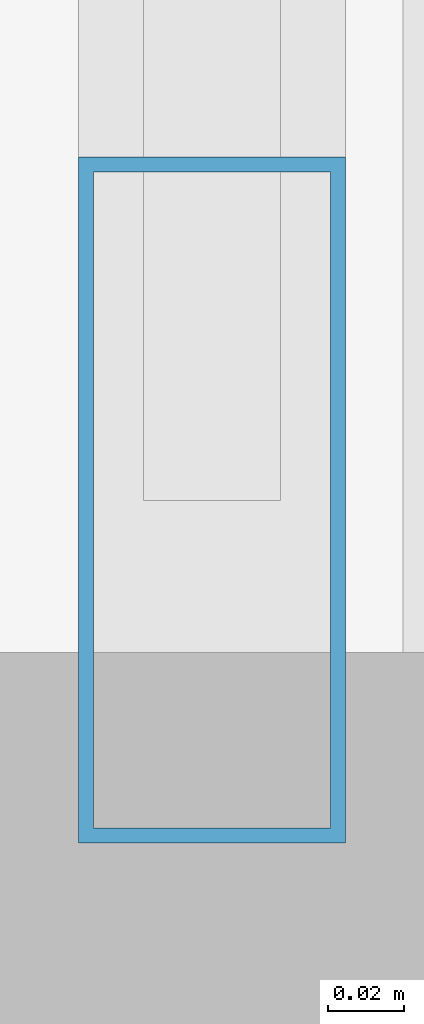
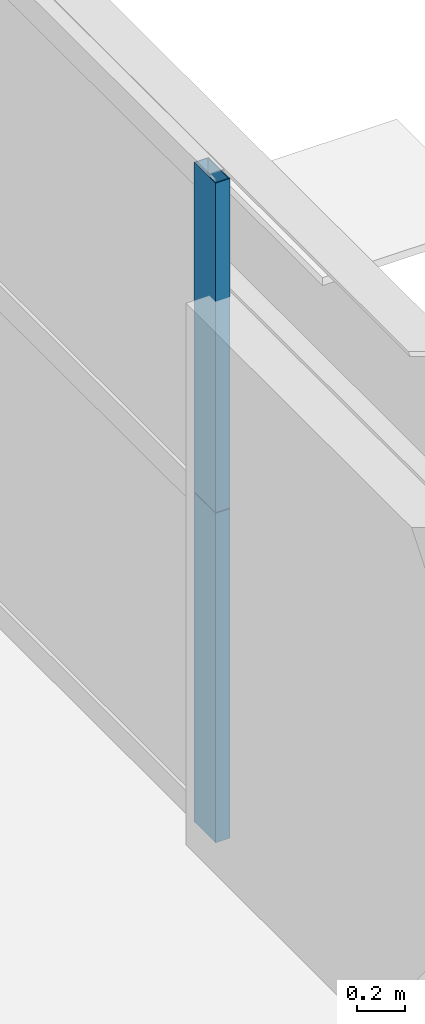
# One storey, part 19 of 46: 2 members, 1 element without a shape of its own.
"""IFC4 building model written with IfcOpenShell, lengths in metres."""

from ifc_helpers import new_model, si_unit, direction, frame, origin, origin_2d, place, context, subcontext, project, spatial, hollow_rectangle, extrude, source, transform, mapped, material, layer, layer_set, material_profile, profile_set, type_object, element, aggregate, save


model = new_model("IFC4")

# Units and contexts
model_context = context("Model", 3, precision=1e-05, world=origin(), true_north=direction((0.0, 1.0)))
body_context = subcontext(model_context, "Body", "Model", "MODEL_VIEW")
ifc_project = project(units=[si_unit("LENGTHUNIT", "METRE"), si_unit("AREAUNIT", "SQUARE_METRE"), si_unit("VOLUMEUNIT", "CUBIC_METRE"), si_unit("PLANEANGLEUNIT", "RADIAN"), si_unit("MASSUNIT", "GRAM", prefix="KILO"), si_unit("THERMODYNAMICTEMPERATUREUNIT", "KELVIN"), si_unit("POWERUNIT", "WATT")], contexts=[model_context])

# Site, building, storey
site_placement = place(None, origin())
site = spatial("IfcSite", under=ifc_project, at=site_placement, CompositionType="ELEMENT")
building_placement = place(site_placement, origin())
building = spatial("IfcBuilding", under=site, at=building_placement, Name="Yuzanri Waterfront Tower", CompositionType="ELEMENT")
storey_placement = place(building_placement, frame((0.0, 0.0, 56.800048828125)))
storey = spatial("IfcBuildingStorey", under=building, at=storey_placement, Name="L14", CompositionType="ELEMENT", Elevation=56.800048828125)

# Curtain wall, members
ifc_material_1 = material(Name="Anodized Architectural Bronze", Category="metal")
ifc_layer = layer(ifc_material_1, 0.159912109375)
ifc_layer_set = layer_set([ifc_layer], Name="Anodized Architectural Bronze")
curtain_wall_type = type_object("IfcCurtainWallType", Name="Anodized Bronze Hotel Lower-Tier Recessed Unitized Curtain Wall 8100", PredefinedType="NOTDEFINED", material=ifc_layer_set)
curtain_wall_placement = place(storey_placement, origin())
curtain_wall = element("IfcCurtainWall", 1, at=curtain_wall_placement, inside=storey, type_object=curtain_wall_type, Name="L14 Curtain Wall CW-L14-EL", PredefinedType="NOTDEFINED")
ifc_material_2 = material(Name="Anodized Architectural Bronze", Category="metal")
ifc_material_profile = material_profile(ifc_material_2, hollow_rectangle(XDim=0.070068359375, YDim=0.179931640625, WallThickness=0.00390625, at=origin_2d()), Name="CWM 70x180")
ifc_profile_set = profile_set([ifc_material_profile], Name="Anodized Architectural Bronze")
member_type = type_object("IfcMemberType", Name="Anodized Bronze Standard Curtain-Wall Mullion 70x180", PredefinedType="MULLION", material=ifc_profile_set)
shared_shape = source(origin(), body_context, "Body", "SweptSolid", [
    extrude(hollow_rectangle(XDim=0.070068359375, YDim=0.179931640625, WallThickness=0.00390625, at=origin_2d()), origin(), (0.0, 0.0, 1.0), 1.68798828125),
])
member_1_placement = place(storey_placement, frame((61.949951171875, 8.090087890625, 0.0), z_axis=(0.0, 0.0, 1.0), x_axis=(1.0, 0.0, 0.0)))
member_1 = element("IfcMember", 2, at=member_1_placement, type_object=member_type, Name="CW-L14-EL Lower Mullion 00", PredefinedType="MULLION", context=body_context, shape_type="MappedRepresentation", body=[
    mapped(shared_shape, transform((0.0, 0.0, 0.0), scale=1.0)),
])
member_2_placement = place(storey_placement, frame((61.949951171875, 8.090087890625, 1.69189453125), z_axis=(0.0, 0.0, 1.0), x_axis=(1.0, 0.0, 0.0)))
member_2 = element("IfcMember", 3, at=member_2_placement, type_object=member_type, Name="CW-L14-EL Upper Mullion 00", PredefinedType="MULLION", context=body_context, shape_type="MappedRepresentation", body=[
    mapped(shared_shape, transform((0.0, 0.0, 0.0), scale=1.0)),
])
aggregate(curtain_wall, [member_1, member_2])

save(model, "model.ifc")
